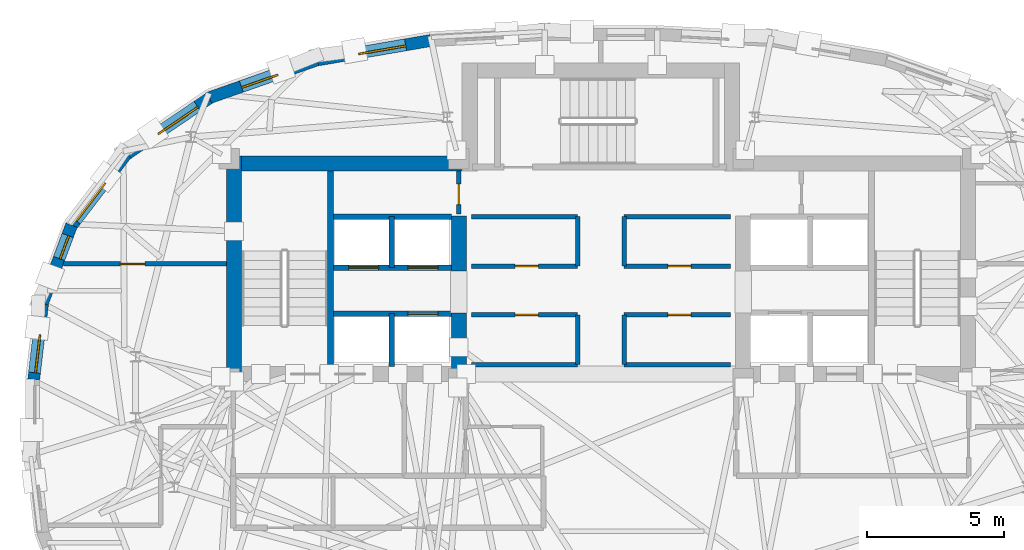
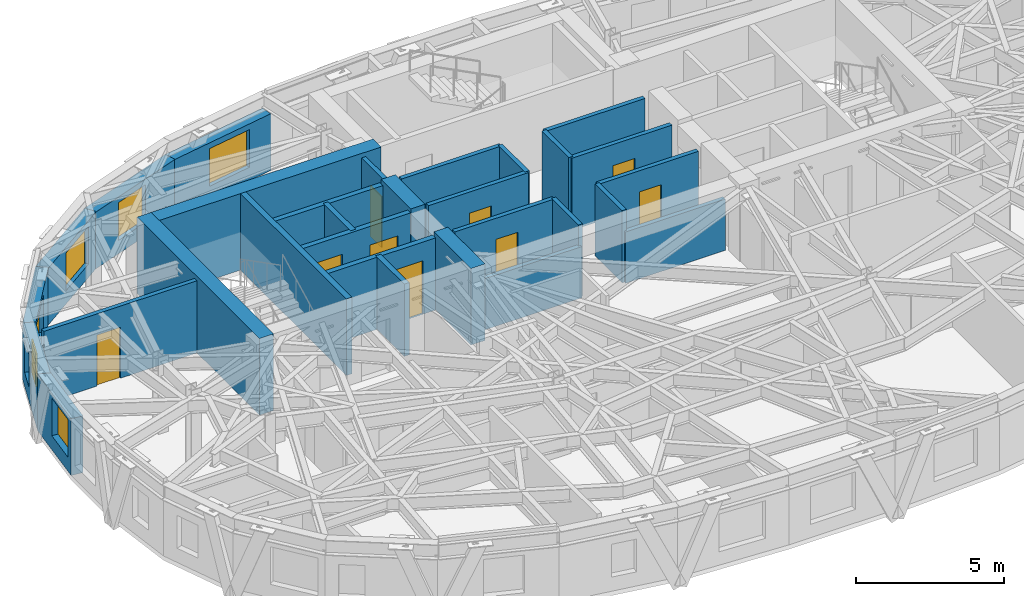
# One storey, part 7 of 12: 30 walls, 9 doors, 6 windows, 15 openings.
"""IFC4 building model written with IfcOpenShell, lengths in metres."""

from ifc_helpers import new_model, si_unit, direction, frame, frame_2d, origin, place, context, subcontext, project, spatial, rectangle, extrude, material, layer, layer_set, type_object, element, fill, save


model = new_model("IFC4")

# Units and contexts
model_context = context("Model", 3, precision=1e-05, world=origin(), true_north=direction((0.0, 1.0)))
body_context = subcontext(model_context, "Body", "Model", "MODEL_VIEW")
ifc_project = project(units=[si_unit("LENGTHUNIT", "METRE"), si_unit("AREAUNIT", "SQUARE_METRE"), si_unit("VOLUMEUNIT", "CUBIC_METRE"), si_unit("PLANEANGLEUNIT", "RADIAN"), si_unit("MASSUNIT", "GRAM", prefix="KILO")], contexts=[model_context])

# Site, building, storey
site_placement = place(None, origin())
site = spatial("IfcSite", under=ifc_project, at=site_placement, CompositionType="ELEMENT")
building_placement = place(site_placement, origin())
building = spatial("IfcBuilding", under=site, at=building_placement, Name="Keldmark Tower", CompositionType="ELEMENT")
storey_placement = place(building_placement, frame((0.0, 0.0, 254.10009765625)))
storey = spatial("IfcBuildingStorey", under=building, at=storey_placement, Name="L72", CompositionType="ELEMENT", Elevation=254.10009765625)

# Walls
ifc_material_1 = material(Name="Concrete C50/60", Category="concrete")
ifc_layer_1 = layer(ifc_material_1, 0.550048828125)
ifc_layer_set_1 = layer_set([ifc_layer_1], Name="Concrete C50/60")
wall_type_1 = type_object("IfcWallType", Name="High-Rise Core Shear Wall 550 mm", PredefinedType="SHEAR", material=ifc_layer_set_1)
wall_1_placement = place(storey_placement, frame((-13.425048828125, 1.300048828125, 0.0), z_axis=(0.0, 0.0, 1.0), x_axis=(0.0, 1.0, 0.0)))
element("IfcWall", 1, at=wall_1_placement, inside=storey, type_object=wall_type_1, Name="L72 West Core Outer Shear Wall", PredefinedType="SHEAR", context=body_context, shape_type="SweptSolid", body=[
    extrude(rectangle(XDim=8.25, YDim=0.550048828125, at=frame_2d((4.125, 0.0))), origin(), (0.0, 0.0, 1.0), 3.14990234375),
])
wall_2_placement = place(storey_placement, frame((-13.699951171875, 9.27490234375, 0.0), z_axis=(0.0, 0.0, 1.0), x_axis=(1.0, 0.0, 0.0)))
element("IfcWall", 2, at=wall_2_placement, inside=storey, type_object=wall_type_1, Name="L72 West Core North Shear Wall", PredefinedType="SHEAR", context=body_context, shape_type="SweptSolid", body=[
    extrude(rectangle(XDim=9.175048828125, YDim=0.550048828125, at=frame_2d((4.58740234375, 0.0))), origin(), (0.0, 0.0, 1.0), 3.14990234375),
])
wall_3_placement = place(storey_placement, frame((-5.199951171875, 1.300048828125, 0.0), z_axis=(0.0, 0.0, 1.0), x_axis=(0.0, 1.0, 0.0)))
element("IfcWall", 3, at=wall_3_placement, inside=storey, type_object=wall_type_1, Name="L72 West Core Inner Shear Pier South", PredefinedType="SHEAR", context=body_context, shape_type="SweptSolid", body=[
    extrude(rectangle(XDim=2.5, YDim=0.550048828125, at=frame_2d((1.25, 0.0))), origin(), (0.0, 0.0, 1.0), 3.14990234375),
])
wall_4_placement = place(storey_placement, frame((-5.199951171875, 5.35009765625, 0.0), z_axis=(0.0, 0.0, 1.0), x_axis=(0.0, 1.0, 0.0)))
element("IfcWall", 4, at=wall_4_placement, inside=storey, type_object=wall_type_1, Name="L72 West Core Inner Shear Pier North", PredefinedType="SHEAR", context=body_context, shape_type="SweptSolid", body=[
    extrude(rectangle(XDim=2.0, YDim=0.550048828125, at=frame_2d((1.0, 0.0))), origin(), (0.0, 0.0, 1.0), 3.14990234375),
])
ifc_material_2 = material(Name="Type X Fire-Rated Gypsum Partition Assembly", Category="gypsum")
ifc_layer_2 = layer(ifc_material_2, 0.1650390625)
ifc_layer_set_2 = layer_set([ifc_layer_2], Name="Type X Fire-Rated Gypsum Partition Assembly")
wall_type_2 = type_object("IfcWallType", Name="Rated Partition 165 mm", PredefinedType="PARTITIONING", material=ifc_layer_set_2)
wall_5_placement = place(storey_placement, frame((-4.739990234375, 1.919921875, 0.0), z_axis=(0.0, 0.0, 1.0), x_axis=(1.0, 0.0, 0.0)))
element("IfcWall", 5, at=wall_5_placement, inside=storey, type_object=wall_type_2, Name="L72 Rated Partition 165 mm REC-LW-S", PredefinedType="PARTITIONING", context=body_context, shape_type="SweptSolid", body=[
    extrude(rectangle(XDim=3.889892578125, YDim=0.1650390625, at=frame_2d((1.94482421875, 0.0))), origin(), (0.0, 0.0, 1.0), 2.10986328125),
])

# Wall, opening, door
wall_6_placement = place(storey_placement, frame((-4.739990234375, 3.739990234375, 0.0), z_axis=(0.0, 0.0, 1.0), x_axis=(1.0, 0.0, 0.0)))
wall_6 = element("IfcWall", 6, at=wall_6_placement, inside=storey, type_object=wall_type_2, Name="L72 Rated Partition 165 mm REC-LW-N", PredefinedType="PARTITIONING", context=body_context, shape_type="SweptSolid", body=[
    extrude(rectangle(XDim=3.889892578125, YDim=0.1650390625, at=frame_2d((1.94482421875, 0.0))), origin(), (0.0, 0.0, 1.0), 2.969970703125),
])
opening_1_placement = place(wall_6_placement, frame((1.60009765625, 0.0, 0.0)))
opening_1 = element("IfcOpeningElement", 7, at=opening_1_placement, cuts=wall_6, Name="Opening D-SV085", PredefinedType="OPENING", context=body_context, shape_type="SweptSolid", body=[
    extrude(rectangle(XDim=0.85009765625, YDim=2.10009765625, at=frame_2d((0.425048828125, 1.050048828125))), frame((0.0, 0.092529296875, 0.0), z_axis=(0.0, -1.0, 0.0), x_axis=(1.0, 0.0, 0.0)), (0.0, 0.0, 1.0), 0.18505859375),
])
ifc_material_3 = material(Name="Painted Hollow Metal Door Assembly", Category="metal")
door_type_1 = type_object("IfcDoorType", Name="Service Door 850x2100", OperationType="NOTDEFINED", PredefinedType="DOOR", material=ifc_material_3)
door_1_placement = place(opening_1_placement, origin())
door_1 = element("IfcDoor", 8, at=door_1_placement, inside=storey, type_object=door_type_1, Name="L72 Service Door 850x2100 D-RECLW1-L72", OperationType="SINGLE_SWING_LEFT", OverallHeight=2.10009765625, OverallWidth=0.85009765625, PredefinedType="DOOR", context=body_context, shape_type="SweptSolid", body=[
    extrude(rectangle(XDim=0.85009765625, YDim=2.10009765625, at=frame_2d((0.425048828125, 1.050048828125))), frame((0.0, 0.02490234375, 0.0), z_axis=(0.0, -1.0, 0.0), x_axis=(1.0, 0.0, 0.0)), (0.0, 0.0, 1.0), 0.050048828125),
])
fill(opening_1, door_1)

# Walls
wall_7_placement = place(storey_placement, frame((-0.85009765625, 1.919921875, 0.0), z_axis=(0.0, 0.0, 1.0), x_axis=(0.0, 1.0, 0.0)))
element("IfcWall", 9, at=wall_7_placement, inside=storey, type_object=wall_type_2, Name="L72 Rated Partition 165 mm REC-LW-E", PredefinedType="PARTITIONING", context=body_context, shape_type="SweptSolid", body=[
    extrude(rectangle(XDim=1.820068359375, YDim=0.1650390625, at=frame_2d((0.91015625, 0.0))), origin(), (0.0, 0.0, 1.0), 2.969970703125),
])
wall_8_placement = place(storey_placement, frame((0.85009765625, 1.919921875, 0.0), z_axis=(0.0, 0.0, 1.0), x_axis=(1.0, 0.0, 0.0)))
element("IfcWall", 10, at=wall_8_placement, inside=storey, type_object=wall_type_2, Name="L72 Rated Partition 165 mm REC-LE-S", PredefinedType="PARTITIONING", context=body_context, shape_type="SweptSolid", body=[
    extrude(rectangle(XDim=3.889892578125, YDim=0.1650390625, at=frame_2d((1.94482421875, 0.0))), origin(), (0.0, 0.0, 1.0), 2.10986328125),
])

# Wall, opening, door
wall_9_placement = place(storey_placement, frame((0.85009765625, 3.739990234375, 0.0), z_axis=(0.0, 0.0, 1.0), x_axis=(1.0, 0.0, 0.0)))
wall_9 = element("IfcWall", 11, at=wall_9_placement, inside=storey, type_object=wall_type_2, Name="L72 Rated Partition 165 mm REC-LE-N", PredefinedType="PARTITIONING", context=body_context, shape_type="SweptSolid", body=[
    extrude(rectangle(XDim=3.889892578125, YDim=0.1650390625, at=frame_2d((1.94482421875, 0.0))), origin(), (0.0, 0.0, 1.0), 2.969970703125),
])
opening_2_placement = place(wall_9_placement, frame((1.60009765625, 0.0, 0.0)))
opening_2 = element("IfcOpeningElement", 12, at=opening_2_placement, cuts=wall_9, Name="Opening D-SV085", PredefinedType="OPENING", context=body_context, shape_type="SweptSolid", body=[
    extrude(rectangle(XDim=0.85009765625, YDim=2.10009765625, at=frame_2d((0.425048828125, 1.050048828125))), frame((0.0, 0.092529296875, 0.0), z_axis=(0.0, -1.0, 0.0), x_axis=(1.0, 0.0, 0.0)), (0.0, 0.0, 1.0), 0.18505859375),
])
door_2_placement = place(opening_2_placement, origin())
door_2 = element("IfcDoor", 13, at=door_2_placement, inside=storey, type_object=door_type_1, Name="L72 Service Door 850x2100 D-RECLE1-L72", OperationType="SINGLE_SWING_RIGHT", OverallHeight=2.10009765625, OverallWidth=0.85009765625, PredefinedType="DOOR", context=body_context, shape_type="SweptSolid", body=[
    extrude(rectangle(XDim=0.85009765625, YDim=2.10009765625, at=frame_2d((0.425048828125, 1.050048828125))), frame((0.0, 0.02490234375, 0.0), z_axis=(0.0, -1.0, 0.0), x_axis=(1.0, 0.0, 0.0)), (0.0, 0.0, 1.0), 0.050048828125),
])
fill(opening_2, door_2)

# Wall
wall_10_placement = place(storey_placement, frame((0.85009765625, 1.919921875, 0.0), z_axis=(0.0, 0.0, 1.0), x_axis=(0.0, 1.0, 0.0)))
element("IfcWall", 14, at=wall_10_placement, inside=storey, type_object=wall_type_2, Name="L72 Rated Partition 165 mm REC-LE-W", PredefinedType="PARTITIONING", context=body_context, shape_type="SweptSolid", body=[
    extrude(rectangle(XDim=1.820068359375, YDim=0.1650390625, at=frame_2d((0.91015625, 0.0))), origin(), (0.0, 0.0, 1.0), 2.969970703125),
])

# Wall, opening, door
wall_11_placement = place(storey_placement, frame((-4.739990234375, 5.52001953125, 0.0), z_axis=(0.0, 0.0, 1.0), x_axis=(1.0, 0.0, 0.0)))
wall_11 = element("IfcWall", 15, at=wall_11_placement, inside=storey, type_object=wall_type_2, Name="L72 Rated Partition 165 mm REC-MW-S", PredefinedType="PARTITIONING", context=body_context, shape_type="SweptSolid", body=[
    extrude(rectangle(XDim=3.889892578125, YDim=0.1650390625, at=frame_2d((1.94482421875, 0.0))), origin(), (0.0, 0.0, 1.0), 2.969970703125),
])
opening_3_placement = place(wall_11_placement, frame((1.60009765625, 0.0, 0.0)))
opening_3 = element("IfcOpeningElement", 16, at=opening_3_placement, cuts=wall_11, Name="Opening D-SV085", PredefinedType="OPENING", context=body_context, shape_type="SweptSolid", body=[
    extrude(rectangle(XDim=0.85009765625, YDim=2.10009765625, at=frame_2d((0.425048828125, 1.050048828125))), frame((0.0, 0.092529296875, 0.0), z_axis=(0.0, -1.0, 0.0), x_axis=(1.0, 0.0, 0.0)), (0.0, 0.0, 1.0), 0.18505859375),
])
door_3_placement = place(opening_3_placement, origin())
door_3 = element("IfcDoor", 17, at=door_3_placement, inside=storey, type_object=door_type_1, Name="L72 Service Door 850x2100 D-RECMW1-L72", OperationType="SINGLE_SWING_LEFT", OverallHeight=2.10009765625, OverallWidth=0.85009765625, PredefinedType="DOOR", context=body_context, shape_type="SweptSolid", body=[
    extrude(rectangle(XDim=0.85009765625, YDim=2.10009765625, at=frame_2d((0.425048828125, 1.050048828125))), frame((0.0, 0.02490234375, 0.0), z_axis=(0.0, -1.0, 0.0), x_axis=(1.0, 0.0, 0.0)), (0.0, 0.0, 1.0), 0.050048828125),
])
fill(opening_3, door_3)

# Walls
wall_12_placement = place(storey_placement, frame((-4.739990234375, 7.330078125, 0.0), z_axis=(0.0, 0.0, 1.0), x_axis=(1.0, 0.0, 0.0)))
element("IfcWall", 18, at=wall_12_placement, inside=storey, type_object=wall_type_2, Name="L72 Rated Partition 165 mm REC-MW-N", PredefinedType="PARTITIONING", context=body_context, shape_type="SweptSolid", body=[
    extrude(rectangle(XDim=3.889892578125, YDim=0.1650390625, at=frame_2d((1.94482421875, 0.0))), origin(), (0.0, 0.0, 1.0), 2.969970703125),
])
wall_13_placement = place(storey_placement, frame((-0.85009765625, 5.52001953125, 0.0), z_axis=(0.0, 0.0, 1.0), x_axis=(0.0, 1.0, 0.0)))
element("IfcWall", 19, at=wall_13_placement, inside=storey, type_object=wall_type_2, Name="L72 Rated Partition 165 mm REC-MW-E", PredefinedType="PARTITIONING", context=body_context, shape_type="SweptSolid", body=[
    extrude(rectangle(XDim=1.81005859375, YDim=0.1650390625, at=frame_2d((0.905029296875, 0.0))), origin(), (0.0, 0.0, 1.0), 2.969970703125),
])

# Wall, opening, door
wall_14_placement = place(storey_placement, frame((0.85009765625, 5.52001953125, 0.0), z_axis=(0.0, 0.0, 1.0), x_axis=(1.0, 0.0, 0.0)))
wall_14 = element("IfcWall", 20, at=wall_14_placement, inside=storey, type_object=wall_type_2, Name="L72 Rated Partition 165 mm REC-ME-S", PredefinedType="PARTITIONING", context=body_context, shape_type="SweptSolid", body=[
    extrude(rectangle(XDim=3.889892578125, YDim=0.1650390625, at=frame_2d((1.94482421875, 0.0))), origin(), (0.0, 0.0, 1.0), 2.969970703125),
])
opening_4_placement = place(wall_14_placement, frame((1.60009765625, 0.0, 0.0)))
opening_4 = element("IfcOpeningElement", 21, at=opening_4_placement, cuts=wall_14, Name="Opening D-SV085", PredefinedType="OPENING", context=body_context, shape_type="SweptSolid", body=[
    extrude(rectangle(XDim=0.85009765625, YDim=2.10009765625, at=frame_2d((0.425048828125, 1.050048828125))), frame((0.0, 0.092529296875, 0.0), z_axis=(0.0, -1.0, 0.0), x_axis=(1.0, 0.0, 0.0)), (0.0, 0.0, 1.0), 0.18505859375),
])
door_4_placement = place(opening_4_placement, origin())
door_4 = element("IfcDoor", 22, at=door_4_placement, inside=storey, type_object=door_type_1, Name="L72 Service Door 850x2100 D-RECME1-L72", OperationType="SINGLE_SWING_RIGHT", OverallHeight=2.10009765625, OverallWidth=0.85009765625, PredefinedType="DOOR", context=body_context, shape_type="SweptSolid", body=[
    extrude(rectangle(XDim=0.85009765625, YDim=2.10009765625, at=frame_2d((0.425048828125, 1.050048828125))), frame((0.0, 0.02490234375, 0.0), z_axis=(0.0, -1.0, 0.0), x_axis=(1.0, 0.0, 0.0)), (0.0, 0.0, 1.0), 0.050048828125),
])
fill(opening_4, door_4)

# Walls
wall_15_placement = place(storey_placement, frame((0.85009765625, 7.330078125, 0.0), z_axis=(0.0, 0.0, 1.0), x_axis=(1.0, 0.0, 0.0)))
element("IfcWall", 23, at=wall_15_placement, inside=storey, type_object=wall_type_2, Name="L72 Rated Partition 165 mm REC-ME-N", PredefinedType="PARTITIONING", context=body_context, shape_type="SweptSolid", body=[
    extrude(rectangle(XDim=3.889892578125, YDim=0.1650390625, at=frame_2d((1.94482421875, 0.0))), origin(), (0.0, 0.0, 1.0), 2.969970703125),
])
wall_16_placement = place(storey_placement, frame((0.85009765625, 5.52001953125, 0.0), z_axis=(0.0, 0.0, 1.0), x_axis=(0.0, 1.0, 0.0)))
element("IfcWall", 24, at=wall_16_placement, inside=storey, type_object=wall_type_2, Name="L72 Rated Partition 165 mm REC-ME-W", PredefinedType="PARTITIONING", context=body_context, shape_type="SweptSolid", body=[
    extrude(rectangle(XDim=1.81005859375, YDim=0.1650390625, at=frame_2d((0.905029296875, 0.0))), origin(), (0.0, 0.0, 1.0), 2.969970703125),
])

# Wall, opening, door
wall_17_placement = place(storey_placement, frame((-5.199951171875, 7.419921875, 0.0), z_axis=(0.0, 0.0, 1.0), x_axis=(0.0, 1.0, 0.0)))
wall_17 = element("IfcWall", 25, at=wall_17_placement, inside=storey, type_object=wall_type_2, Name="L72 Rated Partition 165 mm CS-NW-E", PredefinedType="PARTITIONING", context=body_context, shape_type="SweptSolid", body=[
    extrude(rectangle(XDim=1.580078125, YDim=0.1650390625, at=frame_2d((0.7900390625, 0.0))), origin(), (0.0, 0.0, 1.0), 2.969970703125),
])
opening_5_placement = place(wall_17_placement, frame((0.35009765625, 0.0, 0.0)))
opening_5 = element("IfcOpeningElement", 26, at=opening_5_placement, cuts=wall_17, Name="Opening D-RS075", PredefinedType="OPENING", context=body_context, shape_type="SweptSolid", body=[
    extrude(rectangle(XDim=0.75, YDim=2.10009765625, at=frame_2d((0.375, 1.050048828125))), frame((0.0, 0.092529296875, 0.0), z_axis=(0.0, -1.0, 0.0), x_axis=(1.0, 0.0, 0.0)), (0.0, 0.0, 1.0), 0.18505859375),
])
ifc_material_4 = material(Name="Galvanized Fire-Rated Access Leaf", Category="metal")
door_type_2 = type_object("IfcDoorType", Name="Riser Access Door 750x2100", OperationType="NOTDEFINED", PredefinedType="DOOR", material=ifc_material_4)
door_5_placement = place(opening_5_placement, origin())
door_5 = element("IfcDoor", 27, at=door_5_placement, inside=storey, type_object=door_type_2, Name="L72 Riser Access Door 750x2100 D-CSNW1-L72", OperationType="SINGLE_SWING_LEFT", OverallHeight=2.10009765625, OverallWidth=0.75, PredefinedType="DOOR", context=body_context, shape_type="SweptSolid", body=[
    extrude(rectangle(XDim=0.75, YDim=2.10009765625, at=frame_2d((0.375, 1.050048828125))), frame((0.0, 0.02490234375, 0.0), z_axis=(0.0, -1.0, 0.0), x_axis=(1.0, 0.0, 0.0)), (0.0, 0.0, 1.0), 0.050048828125),
])
fill(opening_5, door_5)

wall_18_placement = place(storey_placement, frame((-19.65283203125, 5.60009765625, 0.0), z_axis=(0.0, 0.0, 1.0), x_axis=(1.0, 0.0, 0.0)))
wall_18 = element("IfcWall", 28, at=wall_18_placement, inside=storey, type_object=wall_type_2, Name="L72 Rated Partition 165 mm RW-NDIV", PredefinedType="PARTITIONING", context=body_context, shape_type="SweptSolid", body=[
    extrude(rectangle(XDim=5.952880859375, YDim=0.1650390625, at=frame_2d((2.9765625, 0.0))), origin(), (0.0, 0.0, 1.0), 2.969970703125),
])
opening_6_placement = place(wall_18_placement, frame((2.0732421875, 0.0, 0.0)))
opening_6 = element("IfcOpeningElement", 29, at=opening_6_placement, cuts=wall_18, Name="Opening D-IN090", PredefinedType="OPENING", context=body_context, shape_type="SweptSolid", body=[
    extrude(rectangle(XDim=0.89990234375, YDim=2.10009765625, at=frame_2d((0.449951171875, 1.050048828125))), frame((0.0, 0.092529296875, 0.0), z_axis=(0.0, -1.0, 0.0), x_axis=(1.0, 0.0, 0.0)), (0.0, 0.0, 1.0), 0.18505859375),
])
ifc_material_5 = material(Name="Stained American White Oak Veneer", Category="wood")
door_type_3 = type_object("IfcDoorType", Name="Interior Door 900x2100", OperationType="NOTDEFINED", PredefinedType="DOOR", material=ifc_material_5)
door_6_placement = place(opening_6_placement, origin())
door_6 = element("IfcDoor", 30, at=door_6_placement, inside=storey, type_object=door_type_3, Name="L72 Interior Door 900x2100 D-RWN1-L72", OperationType="SINGLE_SWING_LEFT", OverallHeight=2.10009765625, OverallWidth=0.89990234375, PredefinedType="DOOR", context=body_context, shape_type="SweptSolid", body=[
    extrude(rectangle(XDim=0.89990234375, YDim=2.10009765625, at=frame_2d((0.449951171875, 1.050048828125))), frame((0.0, 0.02490234375, 0.0), z_axis=(0.0, -1.0, 0.0), x_axis=(1.0, 0.0, 0.0)), (0.0, 0.0, 1.0), 0.050048828125),
])
fill(opening_6, door_6)

ifc_material_6 = material(Name="Fire-Resistant Type X Gypsum Shaftliner Coreboard", Category="gypsum")
ifc_layer_3 = layer(ifc_material_6, 0.199951171875)
ifc_layer_set_3 = layer_set([ifc_layer_3], Name="Fire-Resistant Type X Gypsum Shaftliner Coreboard")
wall_type_3 = type_object("IfcWallType", Name="Shaft Wall 200 mm", PredefinedType="SOLIDWALL", material=ifc_layer_set_3)
wall_19_placement = place(storey_placement, frame((-9.780029296875, 3.780029296875, 0.0), z_axis=(0.0, 0.0, 1.0), x_axis=(1.0, 0.0, 0.0)))
wall_19 = element("IfcWall", 31, at=wall_19_placement, inside=storey, type_object=wall_type_3, Name="L72 Shaft Wall 200 mm HW-W-S", PredefinedType="SOLIDWALL", context=body_context, shape_type="SweptSolid", body=[
    extrude(rectangle(XDim=4.304931640625, YDim=0.199951171875, at=frame_2d((2.15234375, 0.0))), origin(), (0.0, 0.0, 1.0), 2.969970703125),
])
opening_7_placement = place(wall_19_placement, frame((2.719970703125, 0.0, 0.0)))
opening_7 = element("IfcOpeningElement", 32, at=opening_7_placement, cuts=wall_19, Name="Opening LD-110", PredefinedType="OPENING", context=body_context, shape_type="SweptSolid", body=[
    extrude(rectangle(XDim=1.10009765625, YDim=2.199951171875, at=frame_2d((0.550048828125, 1.10009765625))), frame((0.0, 0.10986328125, 0.0), z_axis=(0.0, -1.0, 0.0), x_axis=(1.0, 0.0, 0.0)), (0.0, 0.0, 1.0), 0.219970703125),
])
ifc_material_7 = material(Name="Brushed Bronze Hoistway Sliding Leaf", Category="metal")
door_type_4 = type_object("IfcDoorType", Name="Lift Landing Sliding Door 1100x2200", OperationType="SLIDING_TO_LEFT", PredefinedType="DOOR", material=ifc_material_7)
door_7_placement = place(opening_7_placement, origin())
door_7 = element("IfcDoor", 33, at=door_7_placement, inside=storey, type_object=door_type_4, Name="L72 Lift Landing Sliding Door 1100x2200 LD-EL-H3-L72", OperationType="SLIDING_TO_LEFT", OverallHeight=2.199951171875, OverallWidth=1.10009765625, PredefinedType="DOOR", context=body_context, shape_type="SweptSolid", body=[
    extrude(rectangle(XDim=1.10009765625, YDim=2.199951171875, at=frame_2d((0.550048828125, 1.10009765625))), frame((0.0, 0.02490234375, 0.0), z_axis=(0.0, -1.0, 0.0), x_axis=(1.0, 0.0, 0.0)), (0.0, 0.0, 1.0), 0.050048828125),
])
fill(opening_7, door_7)

# Wall
wall_20_placement = place(storey_placement, frame((-7.64990234375, 1.85009765625, 0.0), z_axis=(0.0, 0.0, 1.0), x_axis=(0.0, 1.0, 0.0)))
element("IfcWall", 34, at=wall_20_placement, inside=storey, type_object=wall_type_3, Name="L72 Shaft Wall 200 mm HW-W-M", PredefinedType="SOLIDWALL", context=body_context, shape_type="SweptSolid", body=[
    extrude(rectangle(XDim=1.929931640625, YDim=0.199951171875, at=frame_2d((0.96484375, 0.0))), origin(), (0.0, 0.0, 1.0), 2.969970703125),
])

# Wall, openings, doors
wall_21_placement = place(storey_placement, frame((-9.780029296875, 5.469970703125, 0.0), z_axis=(0.0, 0.0, 1.0), x_axis=(1.0, 0.0, 0.0)))
wall_21 = element("IfcWall", 35, at=wall_21_placement, inside=storey, type_object=wall_type_3, Name="L72 Shaft Wall 200 mm HW-W-N", PredefinedType="SOLIDWALL", context=body_context, shape_type="SweptSolid", body=[
    extrude(rectangle(XDim=4.304931640625, YDim=0.199951171875, at=frame_2d((2.15234375, 0.0))), origin(), (0.0, 0.0, 1.0), 2.969970703125),
])
opening_8_placement = place(wall_21_placement, frame((0.550048828125, 0.0, 0.0)))
opening_8 = element("IfcOpeningElement", 36, at=opening_8_placement, cuts=wall_21, Name="Opening LD-110", PredefinedType="OPENING", context=body_context, shape_type="SweptSolid", body=[
    extrude(rectangle(XDim=1.10009765625, YDim=2.199951171875, at=frame_2d((0.550048828125, 1.10009765625))), frame((0.0, 0.10986328125, 0.0), z_axis=(0.0, -1.0, 0.0), x_axis=(1.0, 0.0, 0.0)), (0.0, 0.0, 1.0), 0.219970703125),
])
opening_9_placement = place(wall_21_placement, frame((2.719970703125, 0.0, 0.0)))
opening_9 = element("IfcOpeningElement", 37, at=opening_9_placement, cuts=wall_21, Name="Opening LD-110", PredefinedType="OPENING", context=body_context, shape_type="SweptSolid", body=[
    extrude(rectangle(XDim=1.10009765625, YDim=2.199951171875, at=frame_2d((0.550048828125, 1.10009765625))), frame((0.0, 0.10986328125, 0.0), z_axis=(0.0, -1.0, 0.0), x_axis=(1.0, 0.0, 0.0)), (0.0, 0.0, 1.0), 0.219970703125),
])
door_8_placement = place(opening_8_placement, origin())
door_8 = element("IfcDoor", 38, at=door_8_placement, inside=storey, type_object=door_type_4, Name="L72 Lift Landing Sliding Door 1100x2200 LD-EL-H1-L72", OperationType="SLIDING_TO_LEFT", OverallHeight=2.199951171875, OverallWidth=1.10009765625, PredefinedType="DOOR", context=body_context, shape_type="SweptSolid", body=[
    extrude(rectangle(XDim=1.10009765625, YDim=2.199951171875, at=frame_2d((0.550048828125, 1.10009765625))), frame((0.0, 0.02490234375, 0.0), z_axis=(0.0, -1.0, 0.0), x_axis=(1.0, 0.0, 0.0)), (0.0, 0.0, 1.0), 0.050048828125),
])
fill(opening_8, door_8)
door_9_placement = place(opening_9_placement, origin())
door_9 = element("IfcDoor", 39, at=door_9_placement, inside=storey, type_object=door_type_4, Name="L72 Lift Landing Sliding Door 1100x2200 LD-EL-H2-L72", OperationType="SLIDING_TO_LEFT", OverallHeight=2.199951171875, OverallWidth=1.10009765625, PredefinedType="DOOR", context=body_context, shape_type="SweptSolid", body=[
    extrude(rectangle(XDim=1.10009765625, YDim=2.199951171875, at=frame_2d((0.550048828125, 1.10009765625))), frame((0.0, 0.02490234375, 0.0), z_axis=(0.0, -1.0, 0.0), x_axis=(1.0, 0.0, 0.0)), (0.0, 0.0, 1.0), 0.050048828125),
])
fill(opening_9, door_9)

# Walls
wall_22_placement = place(storey_placement, frame((-9.780029296875, 7.330078125, 0.0), z_axis=(0.0, 0.0, 1.0), x_axis=(1.0, 0.0, 0.0)))
element("IfcWall", 40, at=wall_22_placement, inside=storey, type_object=wall_type_3, Name="L72 Shaft Wall 200 mm HW-W-TOP", PredefinedType="SOLIDWALL", context=body_context, shape_type="SweptSolid", body=[
    extrude(rectangle(XDim=4.304931640625, YDim=0.199951171875, at=frame_2d((2.15234375, 0.0))), origin(), (0.0, 0.0, 1.0), 2.969970703125),
])
wall_23_placement = place(storey_placement, frame((-7.64990234375, 5.469970703125, 0.0), z_axis=(0.0, 0.0, 1.0), x_axis=(0.0, 1.0, 0.0)))
element("IfcWall", 41, at=wall_23_placement, inside=storey, type_object=wall_type_3, Name="L72 Shaft Wall 200 mm HW-W-NM", PredefinedType="SOLIDWALL", context=body_context, shape_type="SweptSolid", body=[
    extrude(rectangle(XDim=1.860107421875, YDim=0.199951171875, at=frame_2d((0.93017578125, 0.0))), origin(), (0.0, 0.0, 1.0), 2.969970703125),
])
ifc_material_8 = material(Name="Concrete C50/60", Category="concrete")
ifc_layer_4 = layer(ifc_material_8, 0.219970703125)
ifc_layer_set_4 = layer_set([ifc_layer_4], Name="Concrete C50/60")
wall_type_4 = type_object("IfcWallType", Name="Stair Core Shear Wall 220 mm", PredefinedType="SHEAR", material=ifc_layer_set_4)
wall_24_placement = place(storey_placement, frame((-9.889892578125, 1.85009765625, 0.0), z_axis=(0.0, 0.0, 1.0), x_axis=(0.0, 1.0, 0.0)))
element("IfcWall", 42, at=wall_24_placement, inside=storey, type_object=wall_type_4, Name="L72 West Stair Core Shear Wall", PredefinedType="SHEAR", context=body_context, shape_type="SweptSolid", body=[
    extrude(rectangle(XDim=7.14990234375, YDim=0.219970703125, at=frame_2d((3.574951171875, 0.0))), origin(), (0.0, 0.0, 1.0), 3.14990234375),
])

# Wall, opening, window
ifc_material_9 = material(Name="Ironspot Manganese Brick and Kasota Buff Limestone Spandrel Assembly", Category="masonry")
ifc_layer_5 = layer(ifc_material_9, 0.43994140625)
ifc_layer_set_5 = layer_set([ifc_layer_5], Name="Ironspot Manganese Brick and Kasota Buff Limestone Spandrel Assembly")
wall_type_5 = type_object("IfcWallType", Name="Tower Brick Pier and Spandrel Wall 440 mm", PredefinedType="STANDARD", material=ifc_layer_set_5)
wall_25_placement = place(storey_placement, frame((-10.42529296875, 13.05419921875, 0.0), z_axis=(0.0, 0.0, 1.0), x_axis=(0.985601268854, 0.169086187587, 0.0)))
wall_25 = element("IfcWall", 43, at=wall_25_placement, inside=storey, type_object=wall_type_5, Name="L72 Exterior Brick and Spandrel Wall 10", PredefinedType="STANDARD", context=body_context, shape_type="SweptSolid", body=[
    extrude(rectangle(XDim=4.263671875, YDim=0.43994140625, at=frame_2d((2.1318359375, 0.0))), origin(), (0.0, 0.0, 1.0), 2.3359375),
])
opening_10_placement = place(wall_25_placement, frame((1.576416015625, 0.0, 0.550048828125)))
opening_10 = element("IfcOpeningElement", 44, at=opening_10_placement, cuts=wall_25, Name="Opening W-05", PredefinedType="OPENING", context=body_context, shape_type="SweptSolid", body=[
    extrude(rectangle(XDim=1.75, YDim=1.550048828125, at=frame_2d((0.875, 0.77490234375))), frame((0.0, 0.22998046875, 0.0), z_axis=(0.0, -1.0, 0.0), x_axis=(1.0, 0.0, 0.0)), (0.0, 0.0, 1.0), 0.4599609375),
])
ifc_material_10 = material(Name="Thermally Broken Anodized Aluminum and Triple Low-E Argon Glazing", Category="aluminium")
window_type_1 = type_object("IfcWindowType", Name="Residential Deep-Set Window 1750x1550", PartitioningType="DOUBLE_PANEL_VERTICAL", PredefinedType="WINDOW", material=ifc_material_10)
window_1_placement = place(opening_10_placement, origin())
window_1 = element("IfcWindow", 45, at=window_1_placement, inside=storey, type_object=window_type_1, Name="L72 Deep-Set Window 10", OverallHeight=1.550048828125, OverallWidth=1.75, PartitioningType="SINGLE_PANEL", PredefinedType="WINDOW", context=body_context, shape_type="SweptSolid", body=[
    extrude(rectangle(XDim=1.75, YDim=1.550048828125, at=frame_2d((0.875, 0.77490234375))), frame((0.0, -0.010009765625, 0.0), z_axis=(0.0, -1.0, 0.0), x_axis=(1.0, 0.0, 0.0)), (0.0, 0.0, 1.0), 0.06005859375),
])
fill(opening_10, window_1)

wall_26_placement = place(storey_placement, frame((-14.319580078125, 11.6826171875, 0.0), z_axis=(0.0, 0.0, 1.0), x_axis=(0.943461130408, 0.331483175152, 0.0)))
wall_26 = element("IfcWall", 46, at=wall_26_placement, inside=storey, type_object=wall_type_5, Name="L72 Exterior Brick and Spandrel Wall 11", PredefinedType="STANDARD", context=body_context, shape_type="SweptSolid", body=[
    extrude(rectangle(XDim=4.165771484375, YDim=0.43994140625, at=frame_2d((2.0830078125, 0.0))), origin(), (0.0, 0.0, 1.0), 2.3359375),
])
opening_11_placement = place(wall_26_placement, frame((1.23486328125, 0.0, 0.550048828125)))
opening_11 = element("IfcOpeningElement", 47, at=opening_11_placement, cuts=wall_26, Name="Opening W-08", PredefinedType="OPENING", context=body_context, shape_type="SweptSolid", body=[
    extrude(rectangle(XDim=1.39990234375, YDim=1.550048828125, at=frame_2d((0.699951171875, 0.77490234375))), frame((0.0, 0.22998046875, 0.0), z_axis=(0.0, -1.0, 0.0), x_axis=(1.0, 0.0, 0.0)), (0.0, 0.0, 1.0), 0.4599609375),
])
ifc_material_11 = material(Name="Thermally Broken Anodized Aluminum and Triple Low-E Argon Glazing", Category="aluminium")
window_type_2 = type_object("IfcWindowType", Name="Residential Corner Punched Window 1400x1550", PartitioningType="SINGLE_PANEL", PredefinedType="WINDOW", material=ifc_material_11)
window_2_placement = place(opening_11_placement, origin())
window_2 = element("IfcWindow", 48, at=window_2_placement, inside=storey, type_object=window_type_2, Name="L72 Deep-Set Window 11", OverallHeight=1.550048828125, OverallWidth=1.39990234375, PartitioningType="SINGLE_PANEL", PredefinedType="WINDOW", context=body_context, shape_type="SweptSolid", body=[
    extrude(rectangle(XDim=1.39990234375, YDim=1.550048828125, at=frame_2d((0.699951171875, 0.77490234375))), frame((0.0, -0.010009765625, 0.0), z_axis=(0.0, -1.0, 0.0), x_axis=(1.0, 0.0, 0.0)), (0.0, 0.0, 1.0), 0.06005859375),
])
fill(opening_11, window_2)

wall_27_placement = place(storey_placement, frame((-17.413818359375, 9.575927734375, 0.0), z_axis=(0.0, 0.0, 1.0), x_axis=(0.827695346596, 0.561177702001, 0.0)))
wall_27 = element("IfcWall", 49, at=wall_27_placement, inside=storey, type_object=wall_type_5, Name="L72 Exterior Brick and Spandrel Wall 12", PredefinedType="STANDARD", context=body_context, shape_type="SweptSolid", body=[
    extrude(rectangle(XDim=3.7998046875, YDim=0.43994140625, at=frame_2d((1.89990234375, 0.0))), origin(), (0.0, 0.0, 1.0), 2.3359375),
])
opening_12_placement = place(wall_27_placement, frame((1.44970703125, 0.0, 0.550048828125)))
opening_12 = element("IfcOpeningElement", 50, at=opening_12_placement, cuts=wall_27, Name="Opening W-05", PredefinedType="OPENING", context=body_context, shape_type="SweptSolid", body=[
    extrude(rectangle(XDim=1.75, YDim=1.550048828125, at=frame_2d((0.875, 0.77490234375))), frame((0.0, 0.22998046875, 0.0), z_axis=(0.0, -1.0, 0.0), x_axis=(1.0, 0.0, 0.0)), (0.0, 0.0, 1.0), 0.4599609375),
])
window_3_placement = place(opening_12_placement, origin())
window_3 = element("IfcWindow", 51, at=window_3_placement, inside=storey, type_object=window_type_1, Name="L72 Deep-Set Window 12", OverallHeight=1.550048828125, OverallWidth=1.75, PartitioningType="SINGLE_PANEL", PredefinedType="WINDOW", context=body_context, shape_type="SweptSolid", body=[
    extrude(rectangle(XDim=1.75, YDim=1.550048828125, at=frame_2d((0.875, 0.77490234375))), frame((0.0, -0.010009765625, 0.0), z_axis=(0.0, -1.0, 0.0), x_axis=(1.0, 0.0, 0.0)), (0.0, 0.0, 1.0), 0.06005859375),
])
fill(opening_12, window_3)

wall_28_placement = place(storey_placement, frame((-19.39892578125, 6.9599609375, 0.0), z_axis=(0.0, 0.0, 1.0), x_axis=(0.607266352304, 0.794498318034, 0.0)))
wall_28 = element("IfcWall", 52, at=wall_28_placement, inside=storey, type_object=wall_type_5, Name="L72 Exterior Brick and Spandrel Wall 13", PredefinedType="STANDARD", context=body_context, shape_type="SweptSolid", body=[
    extrude(rectangle(XDim=3.353759765625, YDim=0.43994140625, at=frame_2d((1.6767578125, 0.0))), origin(), (0.0, 0.0, 1.0), 2.3359375),
])
opening_13_placement = place(wall_28_placement, frame((0.29638671875, 0.0, 0.550048828125)))
opening_13 = element("IfcOpeningElement", 53, at=opening_13_placement, cuts=wall_28, Name="Opening W-05", PredefinedType="OPENING", context=body_context, shape_type="SweptSolid", body=[
    extrude(rectangle(XDim=1.75, YDim=1.550048828125, at=frame_2d((0.875, 0.77490234375))), frame((0.0, 0.22998046875, 0.0), z_axis=(0.0, -1.0, 0.0), x_axis=(1.0, 0.0, 0.0)), (0.0, 0.0, 1.0), 0.4599609375),
])
window_4_placement = place(opening_13_placement, origin())
window_4 = element("IfcWindow", 54, at=window_4_placement, inside=storey, type_object=window_type_1, Name="L72 Deep-Set Window 13", OverallHeight=1.550048828125, OverallWidth=1.75, PartitioningType="SINGLE_PANEL", PredefinedType="WINDOW", context=body_context, shape_type="SweptSolid", body=[
    extrude(rectangle(XDim=1.75, YDim=1.550048828125, at=frame_2d((0.875, 0.77490234375))), frame((0.0, -0.010009765625, 0.0), z_axis=(0.0, -1.0, 0.0), x_axis=(1.0, 0.0, 0.0)), (0.0, 0.0, 1.0), 0.06005859375),
])
fill(opening_13, window_4)

wall_29_placement = place(storey_placement, frame((-20.430908203125, 4.16748046875, 0.0), z_axis=(0.0, 0.0, 1.0), x_axis=(0.349627332297, 0.936888856007, 0.0)))
wall_29 = element("IfcWall", 55, at=wall_29_placement, inside=storey, type_object=wall_type_5, Name="L72 Exterior Brick and Spandrel Wall 14", PredefinedType="STANDARD", context=body_context, shape_type="SweptSolid", body=[
    extrude(rectangle(XDim=3.041015625, YDim=0.43994140625, at=frame_2d((1.5205078125, 0.0))), origin(), (0.0, 0.0, 1.0), 2.3359375),
])
opening_14_placement = place(wall_29_placement, frame((1.7421875, 0.0, 0.580078125)))
opening_14 = element("IfcOpeningElement", 56, at=opening_14_placement, cuts=wall_29, Name="Opening W-09", PredefinedType="OPENING", context=body_context, shape_type="SweptSolid", body=[
    extrude(rectangle(XDim=0.89990234375, YDim=1.35009765625, at=frame_2d((0.449951171875, 0.675048828125))), frame((0.0, 0.22998046875, 0.0), z_axis=(0.0, -1.0, 0.0), x_axis=(1.0, 0.0, 0.0)), (0.0, 0.0, 1.0), 0.4599609375),
])
ifc_material_12 = material(Name="Thermally Broken Anodized Aluminum and Triple Low-E Argon Glazing", Category="aluminium")
window_type_3 = type_object("IfcWindowType", Name="Corner Pier Deep-Set Window 900x1350", PartitioningType="SINGLE_PANEL", PredefinedType="WINDOW", material=ifc_material_12)
window_5_placement = place(opening_14_placement, origin())
window_5 = element("IfcWindow", 57, at=window_5_placement, inside=storey, type_object=window_type_3, Name="L72 Deep-Set Window 14", OverallHeight=1.35009765625, OverallWidth=0.89990234375, PartitioningType="SINGLE_PANEL", PredefinedType="WINDOW", context=body_context, shape_type="SweptSolid", body=[
    extrude(rectangle(XDim=0.89990234375, YDim=1.35009765625, at=frame_2d((0.449951171875, 0.675048828125))), frame((0.0, -0.010009765625, 0.0), z_axis=(0.0, -1.0, 0.0), x_axis=(1.0, 0.0, 0.0)), (0.0, 0.0, 1.0), 0.06005859375),
])
fill(opening_14, window_5)

wall_30_placement = place(storey_placement, frame((-20.753173828125, 1.374755859375, 0.0), z_axis=(0.0, 0.0, 1.0), x_axis=(0.116885766715, 0.993145365764, 0.0)))
wall_30 = element("IfcWall", 58, at=wall_30_placement, inside=storey, type_object=wall_type_5, Name="L72 Exterior Brick and Spandrel Wall 15", PredefinedType="STANDARD", context=body_context, shape_type="SweptSolid", body=[
    extrude(rectangle(XDim=2.863525390625, YDim=0.43994140625, at=frame_2d((1.431640625, 0.0))), origin(), (0.0, 0.0, 1.0), 2.3359375),
])
opening_15_placement = place(wall_30_placement, frame((0.248291015625, 0.0, 0.580078125)))
opening_15 = element("IfcOpeningElement", 59, at=opening_15_placement, cuts=wall_30, Name="Opening W-08", PredefinedType="OPENING", context=body_context, shape_type="SweptSolid", body=[
    extrude(rectangle(XDim=1.39990234375, YDim=1.550048828125, at=frame_2d((0.699951171875, 0.77490234375))), frame((0.0, 0.22998046875, 0.0), z_axis=(0.0, -1.0, 0.0), x_axis=(1.0, 0.0, 0.0)), (0.0, 0.0, 1.0), 0.4599609375),
])
window_6_placement = place(opening_15_placement, origin())
window_6 = element("IfcWindow", 60, at=window_6_placement, inside=storey, type_object=window_type_2, Name="L72 Deep-Set Window 15", OverallHeight=1.550048828125, OverallWidth=1.39990234375, PartitioningType="SINGLE_PANEL", PredefinedType="WINDOW", context=body_context, shape_type="SweptSolid", body=[
    extrude(rectangle(XDim=1.39990234375, YDim=1.550048828125, at=frame_2d((0.699951171875, 0.77490234375))), frame((0.0, -0.010009765625, 0.0), z_axis=(0.0, -1.0, 0.0), x_axis=(1.0, 0.0, 0.0)), (0.0, 0.0, 1.0), 0.06005859375),
])
fill(opening_15, window_6)

save(model, "model.ifc")
